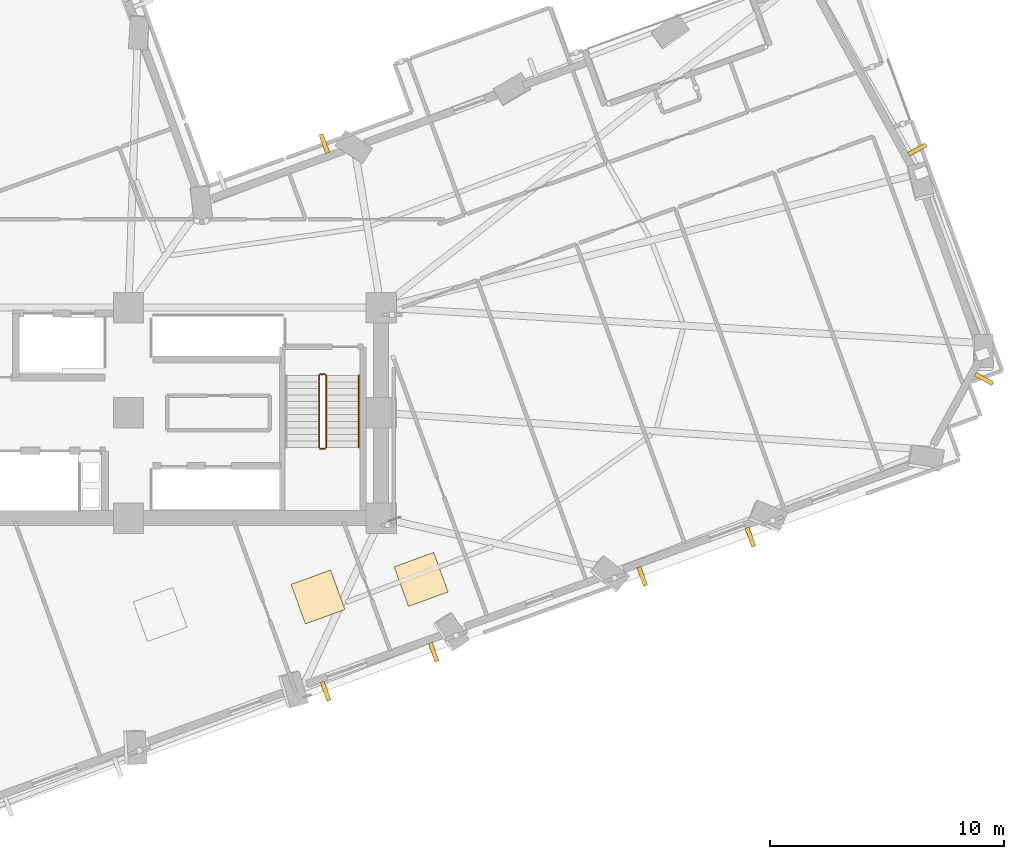
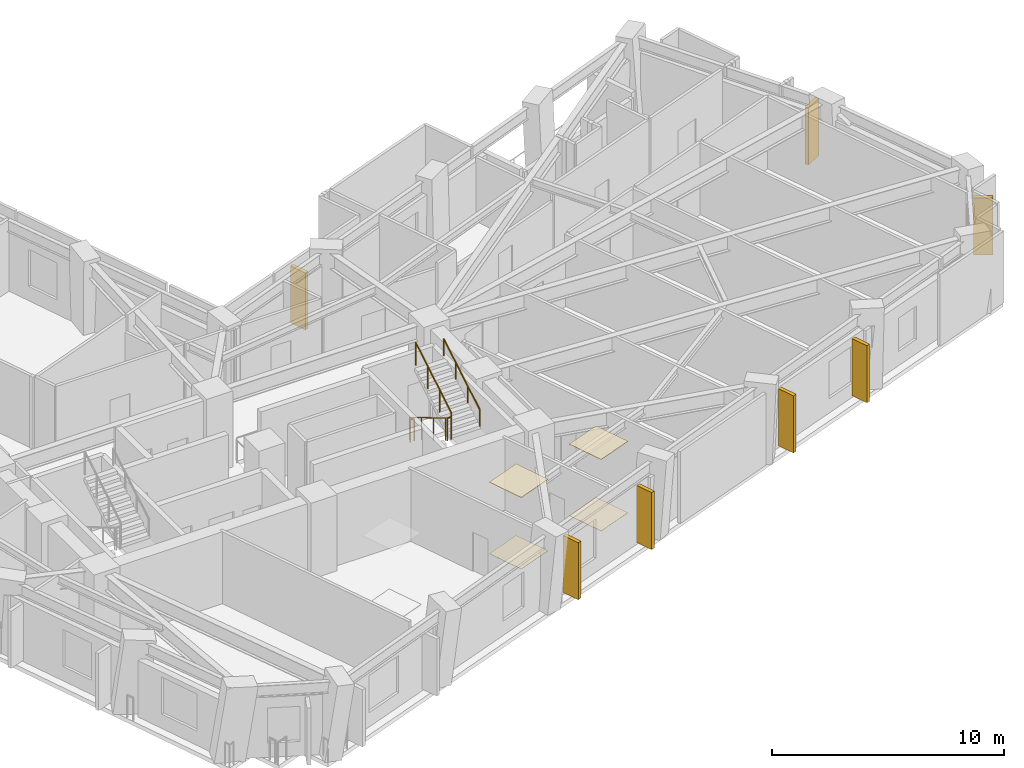
# One storey, part 15 of 17: 7 shading devices, 5 railings, 4 coverings.
"""IFC4 building model written with IfcOpenShell, lengths in metres."""

from ifc_helpers import new_model, si_unit, direction, frame, origin, origin_2d, place, context, subcontext, project, spatial, rectangle, circle, extrude, material, layer, layer_set, type_object, element, save


model = new_model("IFC4")

# Units and contexts
model_context = context("Model", 3, precision=1e-05, world=origin(), true_north=direction((0.0, 1.0)))
body_context = subcontext(model_context, "Body", "Model", "MODEL_VIEW")
ifc_project = project(units=[si_unit("LENGTHUNIT", "METRE"), si_unit("AREAUNIT", "SQUARE_METRE"), si_unit("VOLUMEUNIT", "CUBIC_METRE"), si_unit("PLANEANGLEUNIT", "RADIAN"), si_unit("MASSUNIT", "GRAM", prefix="KILO")], contexts=[model_context])

# Site, building, storey
site_placement = place(None, origin())
site = spatial("IfcSite", under=ifc_project, at=site_placement, CompositionType="ELEMENT")
building_placement = place(site_placement, origin())
building = spatial("IfcBuilding", under=site, at=building_placement, Name="Gaonmaruhae Medical Tower", CompositionType="ELEMENT")
storey_placement = place(building_placement, frame((0.0, 0.0, 108.39990234375)))
storey = spatial("IfcBuildingStorey", under=building, at=storey_placement, Name="L25", CompositionType="ELEMENT", Elevation=108.39990234375)

# Coverings
ifc_material_1 = material(Name="Acoustic mineral ceiling tile", Category="finish")
ifc_layer_1 = layer(ifc_material_1, 0.02490234375)
ifc_layer_set_1 = layer_set([ifc_layer_1], Name="Acoustic mineral ceiling tile")
covering_type_1 = type_object("IfcCoveringType", Name="CLG-01 Antimicrobial Acoustic Mineral Ceiling", PredefinedType="CEILING", material=ifc_layer_set_1)
for number, where, z_axis, x_axis, name in (
    (1, (32.904052734375, 4.427978515625, 3.755126953125), (0.0, 0.0, 1.0), (0.93999073182, 0.341199976689, 0.0), "L25 Clinical Room Acoustic Ceiling 3"),
    (2, (37.3125, 5.1787109375, 3.755126953125), (0.0, 0.0, 1.0), (0.93999073182, 0.341199976689, 0.0), "L25 Clinical Room Acoustic Ceiling 4"),
):
    element("IfcCovering", number, at=place(storey_placement, frame(where, z_axis=z_axis, x_axis=x_axis)), inside=storey, type_object=covering_type_1, Name=name, PredefinedType="CEILING", context=body_context, shape_type="SweptSolid", body=[
        extrude(rectangle(XDim=1.800048828125, YDim=1.800048828125, at=origin_2d()), origin(), (0.0, 0.0, 1.0), 0.02490234375),
    ])
ifc_material_2 = material(Name="Seamless clinical vinyl flooring", Category="finish")
ifc_layer_2 = layer(ifc_material_2, 0.014892578125)
ifc_layer_set_2 = layer_set([ifc_layer_2], Name="Seamless clinical vinyl flooring")
covering_type_2 = type_object("IfcCoveringType", Name="FLR-01 Seamless Clinical Antistatic Vinyl Flooring", PredefinedType="FLOORING", material=ifc_layer_set_2)
for number, where, z_axis, x_axis, name in (
    (3, (32.904052734375, 4.427978515625, 0.0), (0.0, 0.0, 1.0), (0.93999073182, 0.341199976689, 0.0), "L25 Clinical Room Vinyl Flooring 3"),
    (4, (37.3125, 5.1787109375, 0.0), (0.0, 0.0, 1.0), (0.93999073182, 0.341199976689, 0.0), "L25 Clinical Room Vinyl Flooring 4"),
):
    element("IfcCovering", number, at=place(storey_placement, frame(where, z_axis=z_axis, x_axis=x_axis)), inside=storey, type_object=covering_type_2, Name=name, PredefinedType="FLOORING", context=body_context, shape_type="SweptSolid", body=[
        extrude(rectangle(XDim=1.800048828125, YDim=1.800048828125, at=origin_2d()), origin(), (0.0, 0.0, 1.0), 0.014892578125),
    ])

# Railing
ifc_material_3 = material(Name="Stainless steel 304 handrail", Category="steel")
railing_type_1 = type_object("IfcRailingType", Name="HR-092 Continuous Stainless Steel Stair Handrail", PredefinedType="HANDRAIL", material=ifc_material_3)
railing_1_placement = place(storey_placement, frame((34.64990234375, 10.820068359375, 2.166748046875)))
element("IfcRailing", 5, at=railing_1_placement, inside=storey, type_object=railing_type_1, Name="L25 ST-02 stair handrail 2", PredefinedType="HANDRAIL", context=body_context, shape_type="SweptSolid", body=[
    extrude(circle(Radius=0.02392578125, at=origin_2d()), frame((0.0, 0.0, 0.8759765625), z_axis=(0.0, 0.859290745958, 0.51148745235), x_axis=(-1.0, 0.0, 0.0)), (0.0, 0.0, 1.0), 3.584228515625),
    extrude(circle(Radius=0.02099609375, at=origin_2d()), origin(), (0.0, 0.0, 1.0), 0.851806640625),
    extrude(circle(Radius=0.02099609375, at=origin_2d()), frame((0.0, 1.026611328125, 0.611083984375)), (0.0, 0.0, 1.0), 0.851806640625),
    extrude(circle(Radius=0.02099609375, at=origin_2d()), frame((0.0, 2.05322265625, 1.22216796875)), (0.0, 0.0, 1.0), 0.851806640625),
    extrude(circle(Radius=0.02099609375, at=origin_2d()), frame((0.0, 3.079833984375, 1.833251953125)), (0.0, 0.0, 1.0), 0.851806640625),
])

# Shading devices
ifc_material_4 = material(Name="Pigmented coral precast concrete C45/55", Category="concrete")
shading_device_type = type_object("IfcShadingDeviceType", Name="SD-FIN1 Tower Vertical Coral Precast Shading Fin", PredefinedType="USERDEFINED", material=ifc_material_4)
for number, where, z_axis, x_axis, name in (
    (6, (37.84912109375, 2.07080078125, 0.08251953125), (0.0, 0.0, 1.0), (-0.93999073182, -0.341199976689, 0.0), "L25 Vertical Coral Precast Shading Fin S03"),
    (7, (33.229736328125, 0.39404296875, 0.08251953125), (0.0, 0.0, 1.0), (-0.93999073182, -0.341199976689, 0.0), "L25 Vertical Coral Precast Shading Fin S03B"),
    (8, (51.392578125, 6.98681640625, 0.08251953125), (0.0, 0.0, 1.0), (-0.93999073182, -0.341199976689, 0.0), "L25 Vertical Coral Precast Shading Fin S05"),
    (9, (46.76953125, 5.308837890625, 0.08251953125), (0.0, 0.0, 1.0), (-0.93999073182, -0.341199976689, 0.0), "L25 Vertical Coral Precast Shading Fin S05B"),
    (10, (61.385986328125, 13.74560546875, 0.08251953125), (0.0, 0.0, 1.0), (-0.478707181561, -0.877974620545, 0.0), "L25 Vertical Coral Precast Shading Fin S07"),
    (11, (58.529052734375, 23.556884765625, 0.08251953125), (0.0, 0.0, 1.0), (0.480851047069, -0.87680229843, 0.0), "L25 Vertical Coral Precast Shading Fin E02B"),
    (12, (33.177001953125, 23.811279296875, 0.08251953125), (0.0, 0.0, 1.0), (0.93999073182, 0.341199976689, 0.0), "L25 Vertical Coral Precast Shading Fin EN03B"),
):
    element("IfcShadingDevice", number, at=place(storey_placement, frame(where, z_axis=z_axis, x_axis=x_axis)), inside=storey, type_object=shading_device_type, Name=name, ObjectType="FIN", PredefinedType="USERDEFINED", context=body_context, shape_type="SweptSolid", body=[
        extrude(rectangle(XDim=0.179931640625, YDim=0.85009765625, at=origin_2d()), origin(), (0.0, 0.0, 1.0), 3.0),
    ])

# Railings
ifc_material_5 = material(Name="Stainless steel 304 balustrade", Category="steel")
railing_type_2 = type_object("IfcRailingType", Name="SG-112 Stair Well & Ramp Void Safety Balustrade", PredefinedType="BALUSTRADE", material=ifc_material_5)
railing_2_placement = place(storey_placement, frame((32.949951171875, 13.89990234375, 0.166748046875)))
element("IfcRailing", 13, at=railing_2_placement, inside=storey, type_object=railing_type_2, Name="L25 ST-02 stair guard 1", PredefinedType="BALUSTRADE", context=body_context, shape_type="SweptSolid", body=[
    extrude(circle(Radius=0.02392578125, at=origin_2d()), frame((0.0, 0.0, 1.17578125), z_axis=(0.0, -0.859290745958, 0.51148745235), x_axis=(1.0, 0.0, 0.0)), (0.0, 0.0, 1.0), 3.584228515625),
    extrude(circle(Radius=0.02099609375, at=origin_2d()), origin(), (0.0, 0.0, 1.0), 1.15185546875),
    extrude(circle(Radius=0.02099609375, at=origin_2d()), frame((0.0, -1.026611328125, 0.611083984375)), (0.0, 0.0, 1.0), 1.15185546875),
    extrude(circle(Radius=0.02099609375, at=origin_2d()), frame((0.0, -2.05322265625, 1.22216796875)), (0.0, 0.0, 1.0), 1.15185546875),
    extrude(circle(Radius=0.02099609375, at=origin_2d()), frame((0.0, -3.079833984375, 1.833251953125)), (0.0, 0.0, 1.0), 1.15185546875),
])
railing_3_placement = place(storey_placement, frame((33.0, 10.77001953125, 2.0)))
element("IfcRailing", 14, at=railing_3_placement, inside=storey, type_object=railing_type_2, Name="L25 ST-02 stair guard 2", PredefinedType="BALUSTRADE", context=body_context, shape_type="SweptSolid", body=[
    extrude(circle(Radius=0.02392578125, at=origin_2d()), frame((0.0, 0.0, 1.17578125), z_axis=(1.0, 0.0, 0.0), x_axis=(0.0, 1.0, 0.0)), (0.0, 0.0, 1.0), 0.199951171875),
    extrude(circle(Radius=0.02099609375, at=origin_2d()), origin(), (0.0, 0.0, 1.0), 1.15185546875),
    extrude(circle(Radius=0.02099609375, at=origin_2d()), frame((0.199951171875, 0.0, 0.0)), (0.0, 0.0, 1.0), 1.15185546875),
])
railing_4_placement = place(storey_placement, frame((33.25, 10.820068359375, 2.166748046875)))
element("IfcRailing", 15, at=railing_4_placement, inside=storey, type_object=railing_type_2, Name="L25 ST-02 stair guard 3", PredefinedType="BALUSTRADE", context=body_context, shape_type="SweptSolid", body=[
    extrude(circle(Radius=0.02392578125, at=origin_2d()), frame((0.0, 0.0, 1.17578125), z_axis=(0.0, 0.859290745958, 0.51148745235), x_axis=(-1.0, 0.0, 0.0)), (0.0, 0.0, 1.0), 3.584228515625),
    extrude(circle(Radius=0.02099609375, at=origin_2d()), origin(), (0.0, 0.0, 1.0), 1.15185546875),
    extrude(circle(Radius=0.02099609375, at=origin_2d()), frame((0.0, 1.026611328125, 0.611083984375)), (0.0, 0.0, 1.0), 1.15185546875),
    extrude(circle(Radius=0.02099609375, at=origin_2d()), frame((0.0, 2.05322265625, 1.22216796875)), (0.0, 0.0, 1.0), 1.15185546875),
    extrude(circle(Radius=0.02099609375, at=origin_2d()), frame((0.0, 3.079833984375, 1.833251953125)), (0.0, 0.0, 1.0), 1.15185546875),
])
railing_5_placement = place(storey_placement, frame((33.0, 13.949951171875, 0.0)))
element("IfcRailing", 16, at=railing_5_placement, inside=storey, type_object=railing_type_2, Name="L25 ST-02 stair guard 4", PredefinedType="BALUSTRADE", context=body_context, shape_type="SweptSolid", body=[
    extrude(circle(Radius=0.02392578125, at=origin_2d()), frame((0.0, 0.0, 1.17578125), z_axis=(1.0, 0.0, 0.0), x_axis=(0.0, 1.0, 0.0)), (0.0, 0.0, 1.0), 0.199951171875),
    extrude(circle(Radius=0.02099609375, at=origin_2d()), origin(), (0.0, 0.0, 1.0), 1.15185546875),
    extrude(circle(Radius=0.02099609375, at=origin_2d()), frame((0.199951171875, 0.0, 0.0)), (0.0, 0.0, 1.0), 1.15185546875),
])

save(model, "model.ifc")
